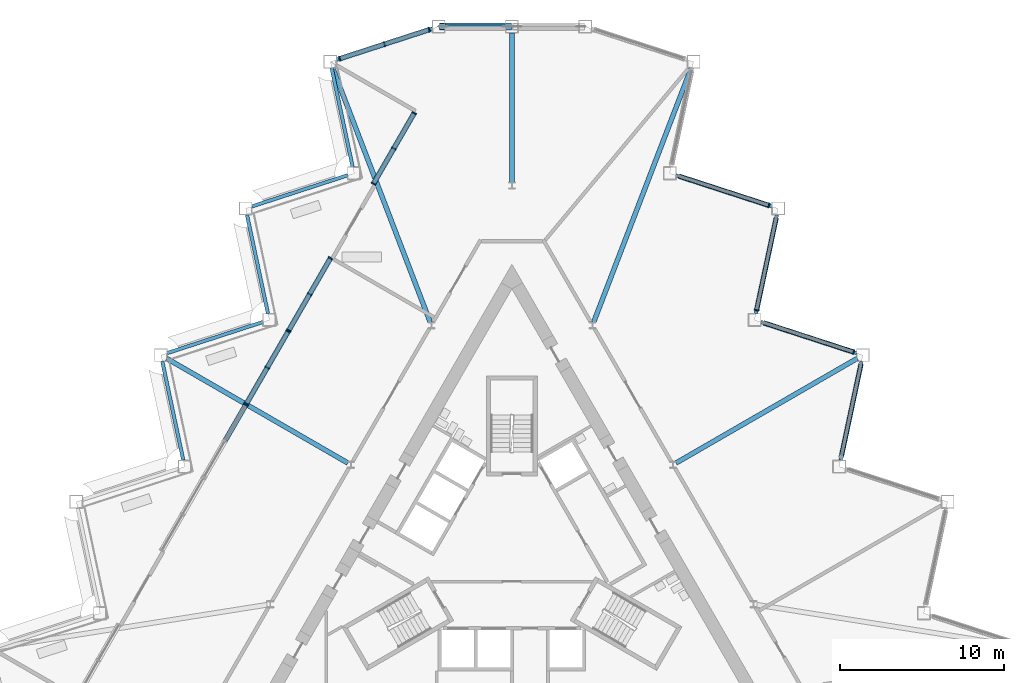
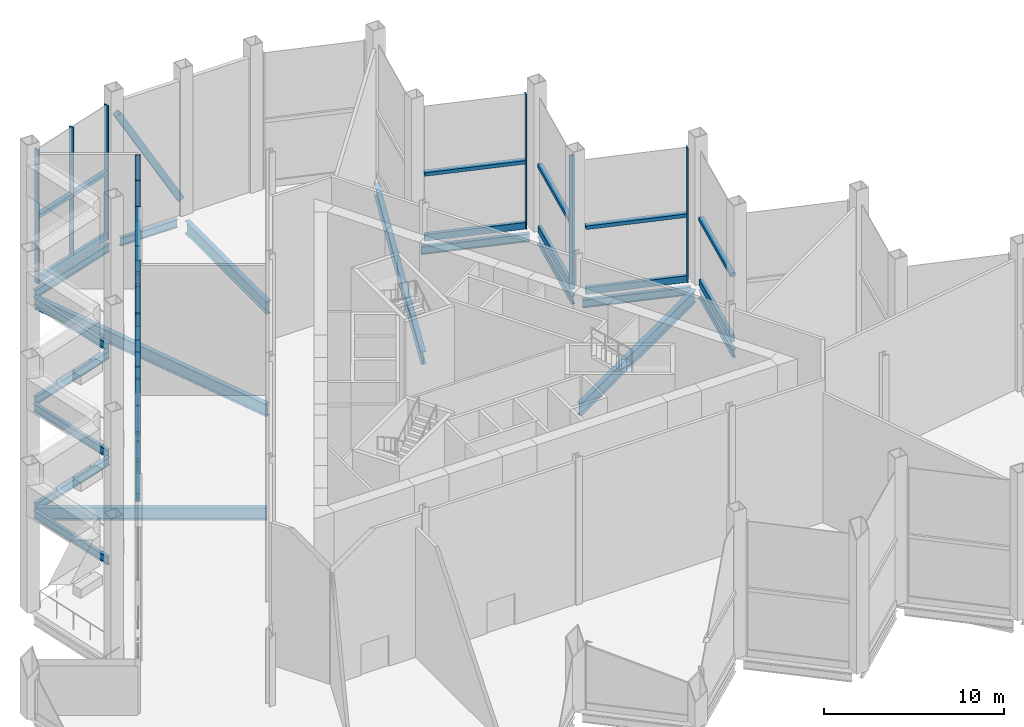
# One storey, part 5 of 18: 38 members, 16 beams, 6 elements without a shape of their own.
"""IFC4 building model written with IfcOpenShell, lengths in metres."""

from ifc_helpers import new_model, si_unit, direction, frame, origin, origin_2d, place, context, subcontext, project, spatial, rectangle, hollow_rectangle, i_section, extrude, material, layer, layer_set, material_profile, profile_set, type_object, element, aggregate, save


model = new_model("IFC4")

# Units and contexts
model_context = context("Model", 3, precision=1e-05, world=origin(), true_north=direction((0.0, 1.0)))
body_context = subcontext(model_context, "Body", "Model", "MODEL_VIEW")
ifc_project = project(units=[si_unit("LENGTHUNIT", "METRE"), si_unit("AREAUNIT", "SQUARE_METRE"), si_unit("VOLUMEUNIT", "CUBIC_METRE"), si_unit("PLANEANGLEUNIT", "RADIAN"), si_unit("MASSUNIT", "GRAM", prefix="KILO")], contexts=[model_context])

# Site, building, storey
site_placement = place(None, origin())
site = spatial("IfcSite", under=ifc_project, at=site_placement, CompositionType="ELEMENT")
building_placement = place(site_placement, origin())
building = spatial("IfcBuilding", under=site, at=building_placement, Name="Cormorant Prow Tower", CompositionType="ELEMENT")
storey_placement = place(building_placement, frame((0.0, 0.0, 216.0)))
storey = spatial("IfcBuildingStorey", under=building, at=storey_placement, Name="L48", CompositionType="ELEMENT", Elevation=216.0)

# Member
ifc_material_1 = material(Name="Structural steel ASTM A500 Gr C", Category="steel")
ifc_material_profile_1 = material_profile(ifc_material_1, hollow_rectangle(XDim=0.406494140625, YDim=0.406494140625, WallThickness=0.01171875, at=origin_2d()), Name="HSS16x16x1/2")
ifc_profile_set_1 = profile_set([ifc_material_profile_1], Name="Structural steel ASTM A500 Gr C")
member_type_1 = type_object("IfcMemberType", Name="Chamfer brace HSS16x16x1/2", PredefinedType="BRACE", material=ifc_profile_set_1)
member_1_placement = place(storey_placement, frame((-0.216796875, 32.3994140625, 0.98291015625), z_axis=(-0.492430114988, 0.0, 0.870351987332), x_axis=(0.0, -1.0, 0.0)))
element("IfcMember", 1, at=member_1_placement, inside=storey, type_object=member_type_1, Name="Chamfer brace BR2 at N01 L48", PredefinedType="BRACE", context=body_context, shape_type="SweptSolid", body=[
    extrude(hollow_rectangle(XDim=0.406494140625, YDim=0.406494140625, WallThickness=0.01171875, at=origin_2d()), origin(), (0.0, 0.0, 1.0), 8.19775390625),
])

# Beams
ifc_material_2 = material(Name="Structural steel ASTM A992 Gr 50", Category="steel")
ifc_material_profile_2 = material_profile(ifc_material_2, i_section(OverallWidth=0.29296875, OverallDepth=0.845703125, WebThickness=0.015380859375, FlangeThickness=0.0244140625, at=origin_2d()), Name="W33x141")
ifc_profile_set_2 = profile_set([ifc_material_profile_2], Name="Structural steel ASTM A992 Gr 50")
beam_type_1 = type_object("IfcBeamType", Name="Radial floor beam W33x141", PredefinedType="BEAM", material=ifc_profile_set_2)
beam_1_placement = place(storey_placement, frame((0.0, 22.901611328125, -0.77294921875), z_axis=(0.0, 1.0, 0.0), x_axis=(-1.0, 0.0, 0.0)))
element("IfcBeam", 2, at=beam_1_placement, inside=storey, type_object=beam_type_1, Name="Radial floor beam FB2 1 L48", PredefinedType="BEAM", context=body_context, shape_type="SweptSolid", body=[
    extrude(i_section(OverallWidth=0.29296875, OverallDepth=0.845703125, WebThickness=0.015380859375, FlangeThickness=0.0244140625, at=origin_2d()), origin(), (0.0, 0.0, 1.0), 9.097900390625),
])
beam_2_placement = place(storey_placement, frame((-4.9873046875, 14.376220703125, -0.77294921875), z_axis=(-0.358301123829, 0.933606075742, 0.0), x_axis=(-0.933606075742, -0.358301123829, 0.0)))
element("IfcBeam", 3, at=beam_2_placement, inside=storey, type_object=beam_type_1, Name="Radial floor beam FB2 2 L48", PredefinedType="BEAM", context=body_context, shape_type="SweptSolid", body=[
    extrude(i_section(OverallWidth=0.29296875, OverallDepth=0.845703125, WebThickness=0.015380859375, FlangeThickness=0.0244140625, at=origin_2d()), origin(), (0.0, 0.0, 1.0), 16.604736328125),
])
for number, where, z_axis, x_axis, name in (
    (4, (-10.0048828125, 5.7763671875, -0.77294921875), (-0.866026069776, 0.499998846467, 0.0), (-0.499998846467, -0.866026069776, 0.0), "Radial floor beam FB2 3 L48"),
    (5, (10.0048828125, 5.7763671875, -0.77294921875), (0.866026069776, 0.499998846467, 0.0), (-0.499998846467, 0.866026069776, 0.0), "Radial floor beam FB2 11 L48"),
):
    element("IfcBeam", number, at=place(storey_placement, frame(where, z_axis=z_axis, x_axis=x_axis)), inside=storey, type_object=beam_type_1, Name=name, PredefinedType="BEAM", context=body_context, shape_type="SweptSolid", body=[
        extrude(i_section(OverallWidth=0.29296875, OverallDepth=0.845703125, WebThickness=0.015380859375, FlangeThickness=0.0244140625, at=origin_2d()), origin(), (0.0, 0.0, 1.0), 12.76904296875),
    ])
beam_3_placement = place(storey_placement, frame((4.9873046875, 14.376220703125, -0.77294921875), z_axis=(0.358301123829, 0.933606075742, 0.0), x_axis=(-0.933606075742, 0.358301123829, 0.0)))
element("IfcBeam", 6, at=beam_3_placement, inside=storey, type_object=beam_type_1, Name="Radial floor beam FB2 12 L48", PredefinedType="BEAM", context=body_context, shape_type="SweptSolid", body=[
    extrude(i_section(OverallWidth=0.29296875, OverallDepth=0.845703125, WebThickness=0.015380859375, FlangeThickness=0.0244140625, at=origin_2d()), origin(), (0.0, 0.0, 1.0), 16.604736328125),
])

# Curtain wall, members
ifc_material_3 = material(Name="Aluminium 6063-T6", Category="aluminium")
ifc_layer = layer(ifc_material_3, 0.300048828125)
ifc_layer_set = layer_set([ifc_layer], Name="Aluminium 6063-T6")
curtain_wall_type = type_object("IfcCurtainWallType", Name="Sky lobby unitised curtain wall 300", PredefinedType="NOTDEFINED", material=ifc_layer_set)
curtain_wall_1_placement = place(storey_placement, origin())
curtain_wall_1 = element("IfcCurtainWall", 7, at=curtain_wall_1_placement, inside=storey, type_object=curtain_wall_type, Name="Sky lobby curtain wall ENE00-ENE09", PredefinedType="NOTDEFINED")
ifc_material_4 = material(Name="Aluminium 6063-T6", Category="aluminium")
ifc_material_profile_3 = material_profile(ifc_material_4, rectangle(XDim=0.300048828125, YDim=0.239990234375, at=origin_2d()), Name="Sky lobby intermediate transom 300x240")
ifc_profile_set_3 = profile_set([ifc_material_profile_3], Name="Aluminium 6063-T6")
member_type_2 = type_object("IfcMemberType", Name="Sky lobby intermediate transom 300x240", PredefinedType="USERDEFINED", material=ifc_profile_set_3)
member_2_placement = place(storey_placement, frame((20.099365234375, 6.19677734375, 4.550537109375), z_axis=(0.207917828816, 0.978146296042, 0.0), x_axis=(-0.978146296042, 0.207917828816, 0.0)))
member_2 = element("IfcMember", 8, at=member_2_placement, type_object=member_type_2, Name="Sky lobby intermediate transom ENE00-ENE09", ObjectType="TRANSOM", PredefinedType="USERDEFINED", context=body_context, shape_type="SweptSolid", body=[
    extrude(rectangle(XDim=0.300048828125, YDim=0.239990234375, at=origin_2d()), origin(), (0.0, 0.0, 1.0), 5.733642578125),
])
member_3_placement = place(storey_placement, frame((20.793212890625, 12.56103515625, 4.550537109375), z_axis=(-0.951061600994, 0.309001344843, 0.0), x_axis=(-0.309001344843, -0.951061600994, 0.0)))
member_3 = element("IfcMember", 9, at=member_3_placement, type_object=member_type_2, Name="Sky lobby intermediate transom ENE00-ENE09", ObjectType="TRANSOM", PredefinedType="USERDEFINED", context=body_context, shape_type="SweptSolid", body=[
    extrude(rectangle(XDim=0.300048828125, YDim=0.239990234375, at=origin_2d()), origin(), (0.0, 0.0, 1.0), 5.733642578125),
])
member_4_placement = place(storey_placement, frame((14.9345703125, 15.142333984375, 4.550537109375), z_axis=(0.207917828816, 0.978146296042, 0.0), x_axis=(-0.978146296042, 0.207917828816, 0.0)))
member_4 = element("IfcMember", 10, at=member_4_placement, type_object=member_type_2, Name="Sky lobby intermediate transom ENE00-ENE09", ObjectType="TRANSOM", PredefinedType="USERDEFINED", context=body_context, shape_type="SweptSolid", body=[
    extrude(rectangle(XDim=0.300048828125, YDim=0.239990234375, at=origin_2d()), origin(), (0.0, 0.0, 1.0), 5.733642578125),
])
member_5_placement = place(storey_placement, frame((15.62841796875, 21.506591796875, 4.550537109375), z_axis=(-0.951061600994, 0.309001344843, 0.0), x_axis=(-0.309001344843, -0.951061600994, 0.0)))
member_5 = element("IfcMember", 11, at=member_5_placement, type_object=member_type_2, Name="Sky lobby intermediate transom ENE00-ENE09", ObjectType="TRANSOM", PredefinedType="USERDEFINED", context=body_context, shape_type="SweptSolid", body=[
    extrude(rectangle(XDim=0.300048828125, YDim=0.239990234375, at=origin_2d()), origin(), (0.0, 0.0, 1.0), 5.733642578125),
])

curtain_wall_2_placement = place(storey_placement, origin())
curtain_wall_2 = element("IfcCurtainWall", 12, at=curtain_wall_2_placement, inside=storey, type_object=curtain_wall_type, Name="Sky lobby curtain wall WNW00", PredefinedType="NOTDEFINED")
member_6_placement = place(storey_placement, frame((-5.086669921875, 32.19921875, 4.550537109375), z_axis=(-0.951073330026, -0.30896524224, 0.0), x_axis=(0.30896524224, -0.951073330026, 0.0)))
member_6 = element("IfcMember", 13, at=member_6_placement, type_object=member_type_2, Name="Sky lobby intermediate transom WNW00", ObjectType="TRANSOM", PredefinedType="USERDEFINED", context=body_context, shape_type="SweptSolid", body=[
    extrude(rectangle(XDim=0.300048828125, YDim=0.239990234375, at=origin_2d()), origin(), (0.0, 0.0, 1.0), 2.787109375),
])
member_7_placement = place(storey_placement, frame((-7.813232421875, 31.313232421875, 4.550537109375), z_axis=(-0.951073330026, -0.30896524224, 0.0), x_axis=(0.30896524224, -0.951073330026, 0.0)))
member_7 = element("IfcMember", 14, at=member_7_placement, type_object=member_type_2, Name="Sky lobby intermediate transom WNW00", ObjectType="TRANSOM", PredefinedType="USERDEFINED", context=body_context, shape_type="SweptSolid", body=[
    extrude(rectangle(XDim=0.300048828125, YDim=0.239990234375, at=origin_2d()), origin(), (0.0, 0.0, 1.0), 2.787109375),
])

curtain_wall_3_placement = place(storey_placement, origin())
curtain_wall_3 = element("IfcCurtainWall", 15, at=curtain_wall_3_placement, inside=storey, type_object=curtain_wall_type, Name="Sky lobby curtain wall loggia WNW01", PredefinedType="NOTDEFINED")
member_8_placement = place(storey_placement, frame((-5.97900390625, 27.08740234375, 4.550537109375), z_axis=(-0.49995654735, -0.86605048973, 0.0), x_axis=(0.86605048973, -0.49995654735, 0.0)))
member_8 = element("IfcMember", 16, at=member_8_placement, type_object=member_type_2, Name="Sky lobby intermediate transom loggia WNW01", ObjectType="TRANSOM", PredefinedType="USERDEFINED", context=body_context, shape_type="SweptSolid", body=[
    extrude(rectangle(XDim=0.300048828125, YDim=0.239990234375, at=origin_2d()), origin(), (0.0, 0.0, 1.0), 2.407470703125),
])
member_9_placement = place(storey_placement, frame((-7.22265625, 24.933349609375, 4.550537109375), z_axis=(-0.49995654735, -0.86605048973, 0.0), x_axis=(0.86605048973, -0.49995654735, 0.0)))
member_9 = element("IfcMember", 17, at=member_9_placement, type_object=member_type_2, Name="Sky lobby intermediate transom loggia WNW01", ObjectType="TRANSOM", PredefinedType="USERDEFINED", context=body_context, shape_type="SweptSolid", body=[
    extrude(rectangle(XDim=0.300048828125, YDim=0.239990234375, at=origin_2d()), origin(), (0.0, 0.0, 1.0), 2.407470703125),
])

curtain_wall_4_placement = place(storey_placement, origin())
curtain_wall_4 = element("IfcCurtainWall", 18, at=curtain_wall_4_placement, inside=storey, type_object=curtain_wall_type, Name="Sky lobby curtain wall loggia WNW03", PredefinedType="NOTDEFINED")
member_10_placement = place(storey_placement, frame((-11.088623046875, 18.237060546875, 4.550537109375), z_axis=(-0.499988503985, -0.86603204091, 0.0), x_axis=(0.86603204091, -0.499988503985, 0.0)))
member_10 = element("IfcMember", 19, at=member_10_placement, type_object=member_type_2, Name="Sky lobby intermediate transom loggia WNW03", ObjectType="TRANSOM", PredefinedType="USERDEFINED", context=body_context, shape_type="SweptSolid", body=[
    extrude(rectangle(XDim=0.300048828125, YDim=0.239990234375, at=origin_2d()), origin(), (0.0, 0.0, 1.0), 2.46240234375),
])
member_11_placement = place(storey_placement, frame((-12.35986328125, 16.035400390625, 4.550537109375), z_axis=(-0.499988503985, -0.86603204091, 0.0), x_axis=(0.86603204091, -0.499988503985, 0.0)))
member_11 = element("IfcMember", 20, at=member_11_placement, type_object=member_type_2, Name="Sky lobby intermediate transom loggia WNW03", ObjectType="TRANSOM", PredefinedType="USERDEFINED", context=body_context, shape_type="SweptSolid", body=[
    extrude(rectangle(XDim=0.300048828125, YDim=0.239990234375, at=origin_2d()), origin(), (0.0, 0.0, 1.0), 2.46240234375),
])

curtain_wall_5_placement = place(storey_placement, origin())
curtain_wall_5 = element("IfcCurtainWall", 21, at=curtain_wall_5_placement, inside=storey, type_object=curtain_wall_type, Name="Sky lobby curtain wall loggia WNW04", PredefinedType="NOTDEFINED")
member_12_placement = place(storey_placement, frame((-13.6708984375, 13.764404296875, 4.550537109375), z_axis=(-0.499988503985, -0.86603204091, 0.0), x_axis=(0.86603204091, -0.499988503985, 0.0)))
member_12 = element("IfcMember", 22, at=member_12_placement, type_object=member_type_2, Name="Sky lobby intermediate transom loggia WNW04", ObjectType="TRANSOM", PredefinedType="USERDEFINED", context=body_context, shape_type="SweptSolid", body=[
    extrude(rectangle(XDim=0.300048828125, YDim=0.239990234375, at=origin_2d()), origin(), (0.0, 0.0, 1.0), 2.46240234375),
])
member_13_placement = place(storey_placement, frame((-14.942138671875, 11.5625, 4.550537109375), z_axis=(-0.500031437466, -0.866007252594, 0.0), x_axis=(0.866007252594, -0.500031437466, 0.0)))
member_13 = element("IfcMember", 23, at=member_13_placement, type_object=member_type_2, Name="Sky lobby intermediate transom loggia WNW04", ObjectType="TRANSOM", PredefinedType="USERDEFINED", context=body_context, shape_type="SweptSolid", body=[
    extrude(rectangle(XDim=0.300048828125, YDim=0.239990234375, at=origin_2d()), origin(), (0.0, 0.0, 1.0), 2.462158203125),
])

# Curtain wall, member
curtain_wall_6_placement = place(storey_placement, origin())
curtain_wall_6 = element("IfcCurtainWall", 24, at=curtain_wall_6_placement, inside=storey, type_object=curtain_wall_type, Name="Sky lobby curtain wall loggia WNW05", PredefinedType="NOTDEFINED")
member_14_placement = place(storey_placement, frame((-16.25341796875, 9.29150390625, 4.550537109375), z_axis=(-0.499988503985, -0.86603204091, 0.0), x_axis=(0.86603204091, -0.499988503985, 0.0)))
member_14 = element("IfcMember", 25, at=member_14_placement, type_object=member_type_2, Name="Sky lobby intermediate transom loggia WNW05", ObjectType="TRANSOM", PredefinedType="USERDEFINED", context=body_context, shape_type="SweptSolid", body=[
    extrude(rectangle(XDim=0.300048828125, YDim=0.239990234375, at=origin_2d()), origin(), (0.0, 0.0, 1.0), 2.46240234375),
])

# Member
ifc_material_5 = material(Name="Aluminium 6063-T6", Category="aluminium")
ifc_material_profile_4 = material_profile(ifc_material_5, rectangle(XDim=0.300048828125, YDim=0.080078125, at=origin_2d()), Name="Sky lobby mullion 80x300")
ifc_profile_set_4 = profile_set([ifc_material_profile_4], Name="Aluminium 6063-T6")
member_type_3 = type_object("IfcMemberType", Name="Sky lobby mullion 80x300", PredefinedType="MULLION", material=ifc_profile_set_4)
member_15_placement = place(storey_placement, frame((20.831298828125, 12.548583984375, 0.0), z_axis=(0.0, 0.0, 1.0), x_axis=(-0.309017037466, -0.951056502294, 0.0)))
member_15 = element("IfcMember", 26, at=member_15_placement, type_object=member_type_3, Name="Sky lobby mullion ENE00-ENE09", PredefinedType="MULLION", context=body_context, shape_type="SweptSolid", body=[
    extrude(rectangle(XDim=0.300048828125, YDim=0.080078125, at=origin_2d()), origin(), (0.0, 0.0, 1.0), 9.100830078125),
])

member_16_placement = place(storey_placement, frame((14.92626953125, 15.10302734375, 0.0), z_axis=(0.0, 0.0, 1.0), x_axis=(-0.978147589118, 0.207911745465, 0.0)))
member_16 = element("IfcMember", 27, at=member_16_placement, type_object=member_type_3, Name="Sky lobby mullion ENE00-ENE09", PredefinedType="MULLION", context=body_context, shape_type="SweptSolid", body=[
    extrude(rectangle(XDim=0.300048828125, YDim=0.080078125, at=origin_2d()), origin(), (0.0, 0.0, 1.0), 9.100830078125),
])

member_17_placement = place(storey_placement, frame((15.66650390625, 21.494140625, 0.0), z_axis=(0.0, 0.0, 1.0), x_axis=(-0.309016907313, -0.951056544583, 0.0)))
member_17 = element("IfcMember", 28, at=member_17_placement, type_object=member_type_3, Name="Sky lobby mullion ENE00-ENE09", PredefinedType="MULLION", context=body_context, shape_type="SweptSolid", body=[
    extrude(rectangle(XDim=0.300048828125, YDim=0.080078125, at=origin_2d()), origin(), (0.0, 0.0, 1.0), 9.100830078125),
])

member_18_placement = place(storey_placement, frame((-5.048583984375, 32.211669921875, 0.0), z_axis=(0.0, 0.0, 1.0), x_axis=(0.309017037466, -0.951056502294, 0.0)))
member_18 = element("IfcMember", 29, at=member_18_placement, type_object=member_type_3, Name="Sky lobby mullion WNW00", PredefinedType="MULLION", context=body_context, shape_type="SweptSolid", body=[
    extrude(rectangle(XDim=0.300048828125, YDim=0.080078125, at=origin_2d()), origin(), (0.0, 0.0, 1.0), 9.100830078125),
])

member_19_placement = place(storey_placement, frame((-7.775146484375, 31.32568359375, 0.449951171875), z_axis=(0.0, 0.0, 1.0), x_axis=(0.309017037466, -0.951056502294, 0.0)))
member_19 = element("IfcMember", 30, at=member_19_placement, type_object=member_type_3, Name="Sky lobby mullion WNW00", PredefinedType="MULLION", context=body_context, shape_type="SweptSolid", body=[
    extrude(rectangle(XDim=0.300048828125, YDim=0.080078125, at=origin_2d()), origin(), (0.0, 0.0, 1.0), 8.65087890625),
])

member_20_placement = place(storey_placement, frame((-10.501953125, 30.439697265625, 0.0), z_axis=(0.0, 0.0, 1.0), x_axis=(0.309017037466, -0.951056502294, 0.0)))
member_20 = element("IfcMember", 31, at=member_20_placement, type_object=member_type_3, Name="Sky lobby mullion WNW00", PredefinedType="MULLION", context=body_context, shape_type="SweptSolid", body=[
    extrude(rectangle(XDim=0.300048828125, YDim=0.080078125, at=origin_2d()), origin(), (0.0, 0.0, 1.0), 9.100830078125),
])

member_21_placement = place(storey_placement, frame((-5.958984375, 27.1220703125, 0.0), z_axis=(0.0, 0.0, 1.0), x_axis=(0.866025401952, -0.500000003174, 0.0)))
member_21 = element("IfcMember", 32, at=member_21_placement, type_object=member_type_3, Name="Sky lobby mullion loggia WNW01", PredefinedType="MULLION", context=body_context, shape_type="SweptSolid", body=[
    extrude(rectangle(XDim=0.300048828125, YDim=0.080078125, at=origin_2d()), origin(), (0.0, 0.0, 1.0), 9.100830078125),
])

member_22_placement = place(storey_placement, frame((-7.20263671875, 24.9677734375, 0.449951171875), z_axis=(0.0, 0.0, 1.0), x_axis=(0.866025401952, -0.500000003174, 0.0)))
member_22 = element("IfcMember", 33, at=member_22_placement, type_object=member_type_3, Name="Sky lobby mullion loggia WNW01", PredefinedType="MULLION", context=body_context, shape_type="SweptSolid", body=[
    extrude(rectangle(XDim=0.300048828125, YDim=0.080078125, at=origin_2d()), origin(), (0.0, 0.0, 1.0), 8.65087890625),
])

member_23_placement = place(storey_placement, frame((-8.4462890625, 22.813720703125, 0.0), z_axis=(0.0, 0.0, 1.0), x_axis=(0.866025401952, -0.500000003174, 0.0)))
member_23 = element("IfcMember", 34, at=member_23_placement, type_object=member_type_3, Name="Sky lobby mullion loggia WNW01", PredefinedType="MULLION", context=body_context, shape_type="SweptSolid", body=[
    extrude(rectangle(XDim=0.300048828125, YDim=0.080078125, at=origin_2d()), origin(), (0.0, 0.0, 1.0), 9.100830078125),
])

member_24_placement = place(storey_placement, frame((-11.068603515625, 18.271728515625, 0.0), z_axis=(0.0, 0.0, 1.0), x_axis=(0.866025401952, -0.500000003174, 0.0)))
member_24 = element("IfcMember", 35, at=member_24_placement, type_object=member_type_3, Name="Sky lobby mullion loggia WNW03", PredefinedType="MULLION", context=body_context, shape_type="SweptSolid", body=[
    extrude(rectangle(XDim=0.300048828125, YDim=0.080078125, at=origin_2d()), origin(), (0.0, 0.0, 1.0), 9.100830078125),
])

member_25_placement = place(storey_placement, frame((-12.33984375, 16.070068359375, 0.449951171875), z_axis=(0.0, 0.0, 1.0), x_axis=(0.866025401952, -0.500000003174, 0.0)))
member_25 = element("IfcMember", 36, at=member_25_placement, type_object=member_type_3, Name="Sky lobby mullion loggia WNW03", PredefinedType="MULLION", context=body_context, shape_type="SweptSolid", body=[
    extrude(rectangle(XDim=0.300048828125, YDim=0.080078125, at=origin_2d()), origin(), (0.0, 0.0, 1.0), 8.65087890625),
])

member_26_placement = place(storey_placement, frame((-13.611083984375, 13.8681640625, 0.0), z_axis=(0.0, 0.0, 1.0), x_axis=(0.866025401952, -0.500000003174, 0.0)))
member_26 = element("IfcMember", 37, at=member_26_placement, type_object=member_type_3, Name="Sky lobby mullion loggia WNW03", PredefinedType="MULLION", context=body_context, shape_type="SweptSolid", body=[
    extrude(rectangle(XDim=0.300048828125, YDim=0.080078125, at=origin_2d()), origin(), (0.0, 0.0, 1.0), 9.100830078125),
])

member_27_placement = place(storey_placement, frame((-13.651123046875, 13.798828125, 0.0), z_axis=(0.0, 0.0, 1.0), x_axis=(0.866025401952, -0.500000003174, 0.0)))
member_27 = element("IfcMember", 38, at=member_27_placement, type_object=member_type_3, Name="Sky lobby mullion loggia WNW04", PredefinedType="MULLION", context=body_context, shape_type="SweptSolid", body=[
    extrude(rectangle(XDim=0.300048828125, YDim=0.080078125, at=origin_2d()), origin(), (0.0, 0.0, 1.0), 9.100830078125),
])

member_28_placement = place(storey_placement, frame((-14.922119140625, 11.59716796875, 0.449951171875), z_axis=(0.0, 0.0, 1.0), x_axis=(0.866025401952, -0.500000003174, 0.0)))
member_28 = element("IfcMember", 39, at=member_28_placement, type_object=member_type_3, Name="Sky lobby mullion loggia WNW04", PredefinedType="MULLION", context=body_context, shape_type="SweptSolid", body=[
    extrude(rectangle(XDim=0.300048828125, YDim=0.080078125, at=origin_2d()), origin(), (0.0, 0.0, 1.0), 8.65087890625),
])

member_29_placement = place(storey_placement, frame((-16.193359375, 9.3955078125, 0.0), z_axis=(0.0, 0.0, 1.0), x_axis=(0.866025401952, -0.500000003174, 0.0)))
member_29 = element("IfcMember", 40, at=member_29_placement, type_object=member_type_3, Name="Sky lobby mullion loggia WNW04", PredefinedType="MULLION", context=body_context, shape_type="SweptSolid", body=[
    extrude(rectangle(XDim=0.300048828125, YDim=0.080078125, at=origin_2d()), origin(), (0.0, 0.0, 1.0), 9.100830078125),
])

member_30_placement = place(storey_placement, frame((-16.2333984375, 9.326171875, 0.0), z_axis=(0.0, 0.0, 1.0), x_axis=(0.866025401952, -0.500000003174, 0.0)))
member_30 = element("IfcMember", 41, at=member_30_placement, type_object=member_type_3, Name="Sky lobby mullion loggia WNW05", PredefinedType="MULLION", context=body_context, shape_type="SweptSolid", body=[
    extrude(rectangle(XDim=0.300048828125, YDim=0.080078125, at=origin_2d()), origin(), (0.0, 0.0, 1.0), 9.100830078125),
])

aggregate(curtain_wall_6, [member_30, member_14])

ifc_material_6 = material(Name="Terracotta", Category="masonry")
ifc_material_profile_5 = material_profile(ifc_material_6, rectangle(XDim=0.219970703125, YDim=0.449951171875, at=origin_2d()), Name="Sky lobby terracotta spandrel rail 220x450")
ifc_profile_set_5 = profile_set([ifc_material_profile_5], Name="Terracotta")
member_type_4 = type_object("IfcMemberType", Name="Sky lobby terracotta spandrel rail 220x450", PredefinedType="USERDEFINED", material=ifc_profile_set_5)
member_31_placement = place(storey_placement, frame((20.099365234375, 6.19677734375, 0.22509765625), z_axis=(0.207917828816, 0.978146296042, 0.0), x_axis=(-0.978146296042, 0.207917828816, 0.0)))
member_31 = element("IfcMember", 42, at=member_31_placement, type_object=member_type_4, Name="Sky lobby spandrel rail ENE00-ENE09", ObjectType="TRANSOM", PredefinedType="USERDEFINED", context=body_context, shape_type="SweptSolid", body=[
    extrude(rectangle(XDim=0.219970703125, YDim=0.449951171875, at=origin_2d()), origin(), (0.0, 0.0, 1.0), 5.733642578125),
])

member_32_placement = place(storey_placement, frame((20.793212890625, 12.56103515625, 0.22509765625), z_axis=(-0.951061600994, 0.309001344843, 0.0), x_axis=(-0.309001344843, -0.951061600994, 0.0)))
member_32 = element("IfcMember", 43, at=member_32_placement, type_object=member_type_4, Name="Sky lobby spandrel rail ENE00-ENE09", ObjectType="TRANSOM", PredefinedType="USERDEFINED", context=body_context, shape_type="SweptSolid", body=[
    extrude(rectangle(XDim=0.219970703125, YDim=0.449951171875, at=origin_2d()), origin(), (0.0, 0.0, 1.0), 5.733642578125),
])

member_33_placement = place(storey_placement, frame((14.9345703125, 15.142333984375, 0.22509765625), z_axis=(0.207917828816, 0.978146296042, 0.0), x_axis=(-0.978146296042, 0.207917828816, 0.0)))
member_33 = element("IfcMember", 44, at=member_33_placement, type_object=member_type_4, Name="Sky lobby spandrel rail ENE00-ENE09", ObjectType="TRANSOM", PredefinedType="USERDEFINED", context=body_context, shape_type="SweptSolid", body=[
    extrude(rectangle(XDim=0.219970703125, YDim=0.449951171875, at=origin_2d()), origin(), (0.0, 0.0, 1.0), 5.733642578125),
])

member_34_placement = place(storey_placement, frame((15.62841796875, 21.506591796875, 0.22509765625), z_axis=(-0.951061600994, 0.309001344843, 0.0), x_axis=(-0.309001344843, -0.951061600994, 0.0)))
member_34 = element("IfcMember", 45, at=member_34_placement, type_object=member_type_4, Name="Sky lobby spandrel rail ENE00-ENE09", ObjectType="TRANSOM", PredefinedType="USERDEFINED", context=body_context, shape_type="SweptSolid", body=[
    extrude(rectangle(XDim=0.219970703125, YDim=0.449951171875, at=origin_2d()), origin(), (0.0, 0.0, 1.0), 5.733642578125),
])

aggregate(curtain_wall_1, [member_31, member_2, member_15, member_32, member_3, member_16, member_33, member_4, member_17, member_34, member_5])

member_35_placement = place(storey_placement, frame((-5.086669921875, 32.19921875, 0.22509765625), z_axis=(-0.951061037965, -0.309003077761, 0.0), x_axis=(0.309003077761, -0.951061037965, 0.0)))
member_35 = element("IfcMember", 46, at=member_35_placement, type_object=member_type_4, Name="Sky lobby spandrel rail WNW00", ObjectType="TRANSOM", PredefinedType="USERDEFINED", context=body_context, shape_type="SweptSolid", body=[
    extrude(rectangle(XDim=0.219970703125, YDim=0.449951171875, at=origin_2d()), origin(), (0.0, 0.0, 1.0), 5.65380859375),
])

aggregate(curtain_wall_2, [member_18, member_19, member_20, member_35, member_6, member_7])

member_36_placement = place(storey_placement, frame((-5.97900390625, 27.08740234375, 0.22509765625), z_axis=(-0.499980071345, -0.866036909293, 0.0), x_axis=(0.866036909293, -0.499980071345, 0.0)))
member_36 = element("IfcMember", 47, at=member_36_placement, type_object=member_type_4, Name="Sky lobby spandrel rail loggia WNW01", ObjectType="TRANSOM", PredefinedType="USERDEFINED", context=body_context, shape_type="SweptSolid", body=[
    extrude(rectangle(XDim=0.219970703125, YDim=0.449951171875, at=origin_2d()), origin(), (0.0, 0.0, 1.0), 4.894775390625),
])

aggregate(curtain_wall_3, [member_21, member_22, member_23, member_36, member_8, member_9])

member_37_placement = place(storey_placement, frame((-11.088623046875, 18.237060546875, 0.22509765625), z_axis=(-0.500011000363, -0.866019052629, 0.0), x_axis=(0.866019052629, -0.500011000363, 0.0)))
member_37 = element("IfcMember", 48, at=member_37_placement, type_object=member_type_4, Name="Sky lobby spandrel rail loggia WNW03", ObjectType="TRANSOM", PredefinedType="USERDEFINED", context=body_context, shape_type="SweptSolid", body=[
    extrude(rectangle(XDim=0.219970703125, YDim=0.449951171875, at=origin_2d()), origin(), (0.0, 0.0, 1.0), 5.0048828125),
])

aggregate(curtain_wall_4, [member_24, member_25, member_26, member_37, member_10, member_11])

member_38_placement = place(storey_placement, frame((-13.6708984375, 13.764404296875, 0.22509765625), z_axis=(-0.500011000363, -0.866019052629, 0.0), x_axis=(0.866019052629, -0.500011000363, 0.0)))
member_38 = element("IfcMember", 49, at=member_38_placement, type_object=member_type_4, Name="Sky lobby spandrel rail loggia WNW04", ObjectType="TRANSOM", PredefinedType="USERDEFINED", context=body_context, shape_type="SweptSolid", body=[
    extrude(rectangle(XDim=0.219970703125, YDim=0.449951171875, at=origin_2d()), origin(), (0.0, 0.0, 1.0), 5.0048828125),
])

aggregate(curtain_wall_5, [member_27, member_28, member_29, member_38, member_12, member_13])

# Beams
ifc_material_7 = material(Name="Structural steel ASTM A992 Gr 50", Category="steel")
ifc_material_profile_6 = material_profile(ifc_material_7, i_section(OverallWidth=0.2138671875, OverallDepth=0.549072265625, WebThickness=0.0146484375, FlangeThickness=0.023681640625, at=origin_2d()), Name="W21x93")
ifc_profile_set_6 = profile_set([ifc_material_profile_6], Name="Structural steel ASTM A992 Gr 50")
beam_type_2 = type_object("IfcBeamType", Name="Spandrel beam W21x93", PredefinedType="SPANDREL", material=ifc_profile_set_6)
beam_4_placement = place(storey_placement, frame((20.0478515625, 5.9541015625, -0.62451171875), z_axis=(0.207904811195, 0.978149063018, 0.0), x_axis=(-0.978149063018, 0.207904811195, 0.0)))
element("IfcBeam", 50, at=beam_4_placement, inside=storey, type_object=beam_type_2, Name="Spandrel beam SB2 ENE04-ENE05 L48", PredefinedType="SPANDREL", context=body_context, shape_type="SweptSolid", body=[
    extrude(i_section(OverallWidth=0.2138671875, OverallDepth=0.549072265625, WebThickness=0.0146484375, FlangeThickness=0.023681640625, at=origin_2d()), origin(), (0.0, 0.0, 1.0), 6.149658203125),
])
beam_5_placement = place(storey_placement, frame((21.029052734375, 12.484375, -0.62451171875), z_axis=(-0.951057696564, 0.309013361859, 0.0), x_axis=(-0.309013361859, -0.951057696564, 0.0)))
element("IfcBeam", 51, at=beam_5_placement, inside=storey, type_object=beam_type_2, Name="Spandrel beam SB2 ENE05-ENE06 L48", PredefinedType="SPANDREL", context=body_context, shape_type="SweptSolid", body=[
    extrude(i_section(OverallWidth=0.2138671875, OverallDepth=0.549072265625, WebThickness=0.0146484375, FlangeThickness=0.023681640625, at=origin_2d()), origin(), (0.0, 0.0, 1.0), 6.14990234375),
])
beam_6_placement = place(storey_placement, frame((14.883056640625, 14.899658203125, -0.62451171875), z_axis=(0.207904811195, 0.978149063018, 0.0), x_axis=(-0.978149063018, 0.207904811195, 0.0)))
element("IfcBeam", 52, at=beam_6_placement, inside=storey, type_object=beam_type_2, Name="Spandrel beam SB2 ENE06-ENE07 L48", PredefinedType="SPANDREL", context=body_context, shape_type="SweptSolid", body=[
    extrude(i_section(OverallWidth=0.2138671875, OverallDepth=0.549072265625, WebThickness=0.0146484375, FlangeThickness=0.023681640625, at=origin_2d()), origin(), (0.0, 0.0, 1.0), 6.149658203125),
])
beam_7_placement = place(storey_placement, frame((15.864501953125, 21.429931640625, -0.62451171875), z_axis=(-0.951057696564, 0.309013361859, 0.0), x_axis=(-0.309013361859, -0.951057696564, 0.0)))
element("IfcBeam", 53, at=beam_7_placement, inside=storey, type_object=beam_type_2, Name="Spandrel beam SB2 ENE07-ENE08 L48", PredefinedType="SPANDREL", context=body_context, shape_type="SweptSolid", body=[
    extrude(i_section(OverallWidth=0.2138671875, OverallDepth=0.549072265625, WebThickness=0.0146484375, FlangeThickness=0.023681640625, at=origin_2d()), origin(), (0.0, 0.0, 1.0), 6.14990234375),
])
beam_8_placement = place(storey_placement, frame((-0.39990234375, 32.3994140625, -0.62451171875), z_axis=(-1.0, 0.0, 0.0), x_axis=(0.0, -1.0, 0.0)))
element("IfcBeam", 54, at=beam_8_placement, inside=storey, type_object=beam_type_2, Name="Spandrel beam SB2 N01-WNW00 L48", PredefinedType="SPANDREL", context=body_context, shape_type="SweptSolid", body=[
    extrude(i_section(OverallWidth=0.2138671875, OverallDepth=0.549072265625, WebThickness=0.0146484375, FlangeThickness=0.023681640625, at=origin_2d()), origin(), (0.0, 0.0, 1.0), 3.67041015625),
])
beam_9_placement = place(storey_placement, frame((-4.850830078125, 32.27587890625, -0.62451171875), z_axis=(-0.951057696564, -0.309013361859, 0.0), x_axis=(0.309013361859, -0.951057696564, 0.0)))
element("IfcBeam", 55, at=beam_9_placement, inside=storey, type_object=beam_type_2, Name="Spandrel beam SB2 WNW00-WNW01 L48", PredefinedType="SPANDREL", context=body_context, shape_type="SweptSolid", body=[
    extrude(i_section(OverallWidth=0.2138671875, OverallDepth=0.549072265625, WebThickness=0.0146484375, FlangeThickness=0.023681640625, at=origin_2d()), origin(), (0.0, 0.0, 1.0), 6.14990234375),
])
beam_10_placement = place(storey_placement, frame((-10.996826171875, 29.860595703125, -0.62451171875), z_axis=(0.207904811195, -0.978149063018, 0.0), x_axis=(0.978149063018, 0.207904811195, 0.0)))
element("IfcBeam", 56, at=beam_10_placement, inside=storey, type_object=beam_type_2, Name="Spandrel beam SB2 WNW01-WNW02 L48", PredefinedType="SPANDREL", context=body_context, shape_type="SweptSolid", body=[
    extrude(i_section(OverallWidth=0.2138671875, OverallDepth=0.549072265625, WebThickness=0.0146484375, FlangeThickness=0.023681640625, at=origin_2d()), origin(), (0.0, 0.0, 1.0), 6.149658203125),
])
beam_11_placement = place(storey_placement, frame((-10.015625, 23.330322265625, -0.62451171875), z_axis=(-0.951057696564, -0.309013361859, 0.0), x_axis=(0.309013361859, -0.951057696564, 0.0)))
element("IfcBeam", 57, at=beam_11_placement, inside=storey, type_object=beam_type_2, Name="Spandrel beam SB2 WNW02-WNW03 L48", PredefinedType="SPANDREL", context=body_context, shape_type="SweptSolid", body=[
    extrude(i_section(OverallWidth=0.2138671875, OverallDepth=0.549072265625, WebThickness=0.0146484375, FlangeThickness=0.023681640625, at=origin_2d()), origin(), (0.0, 0.0, 1.0), 6.14990234375),
])
beam_12_placement = place(storey_placement, frame((-16.16162109375, 20.9150390625, -0.62451171875), z_axis=(0.207904811195, -0.978149063018, 0.0), x_axis=(0.978149063018, 0.207904811195, 0.0)))
element("IfcBeam", 58, at=beam_12_placement, inside=storey, type_object=beam_type_2, Name="Spandrel beam SB2 WNW03-WNW04 L48", PredefinedType="SPANDREL", context=body_context, shape_type="SweptSolid", body=[
    extrude(i_section(OverallWidth=0.2138671875, OverallDepth=0.549072265625, WebThickness=0.0146484375, FlangeThickness=0.023681640625, at=origin_2d()), origin(), (0.0, 0.0, 1.0), 6.149658203125),
])
beam_13_placement = place(storey_placement, frame((-15.18017578125, 14.384765625, -0.62451171875), z_axis=(-0.951057696564, -0.309013361859, 0.0), x_axis=(0.309013361859, -0.951057696564, 0.0)))
element("IfcBeam", 59, at=beam_13_placement, inside=storey, type_object=beam_type_2, Name="Spandrel beam SB2 WNW04-WNW05 L48", PredefinedType="SPANDREL", context=body_context, shape_type="SweptSolid", body=[
    extrude(i_section(OverallWidth=0.2138671875, OverallDepth=0.549072265625, WebThickness=0.0146484375, FlangeThickness=0.023681640625, at=origin_2d()), origin(), (0.0, 0.0, 1.0), 6.14990234375),
])
beam_14_placement = place(storey_placement, frame((-21.326416015625, 11.969482421875, -0.62451171875), z_axis=(0.207904811195, -0.978149063018, 0.0), x_axis=(0.978149063018, 0.207904811195, 0.0)))
element("IfcBeam", 60, at=beam_14_placement, inside=storey, type_object=beam_type_2, Name="Spandrel beam SB2 WNW05-WNW06 L48", PredefinedType="SPANDREL", context=body_context, shape_type="SweptSolid", body=[
    extrude(i_section(OverallWidth=0.2138671875, OverallDepth=0.549072265625, WebThickness=0.0146484375, FlangeThickness=0.023681640625, at=origin_2d()), origin(), (0.0, 0.0, 1.0), 6.149658203125),
])

save(model, "model.ifc")
